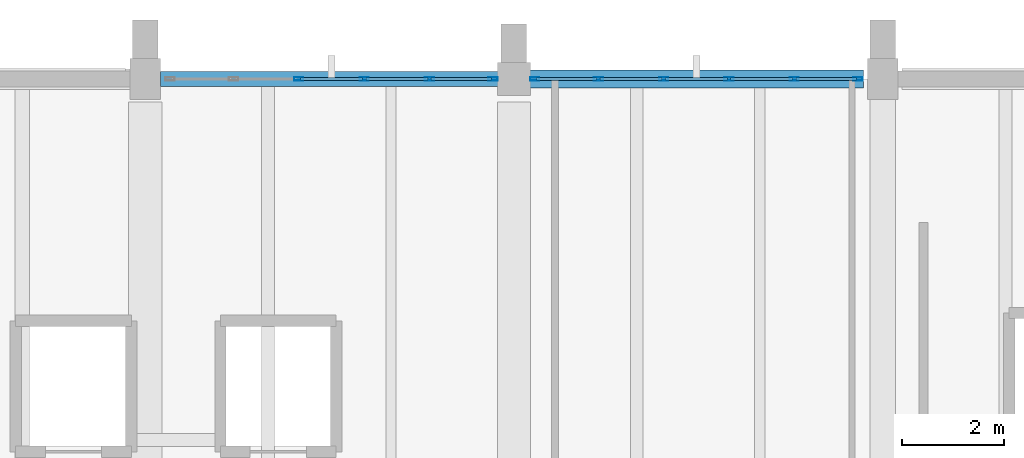
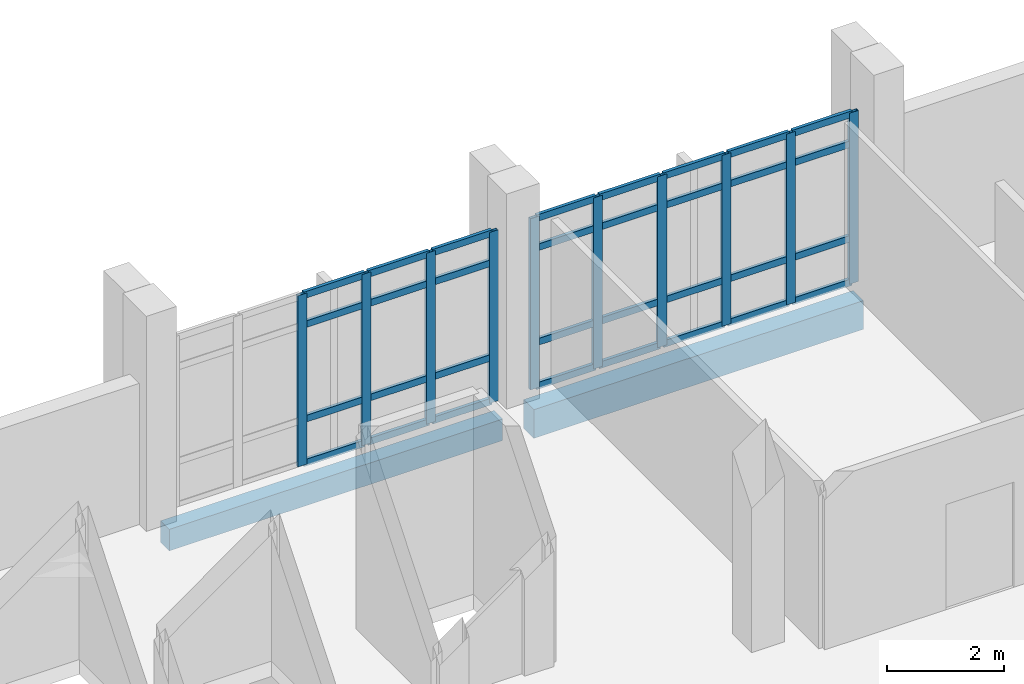
# One storey, part 46 of 87: 42 members, 2 beams, 2 elements without a shape of their own.
"""IFC4 building model written with IfcOpenShell, lengths in metres."""

from ifc_helpers import new_model, si_unit, direction, frame, origin, origin_2d, place, context, subcontext, project, spatial, rectangle, hollow_rectangle, extrude, material, material_profile, profile_set, type_object, element, aggregate, save


model = new_model("IFC4")

# Units and contexts
model_context = context("Model", 3, precision=1e-05, world=origin(), true_north=direction((0.0, 1.0)))
body_context = subcontext(model_context, "Body", "Model", "MODEL_VIEW")
ifc_project = project(units=[si_unit("LENGTHUNIT", "METRE"), si_unit("AREAUNIT", "SQUARE_METRE"), si_unit("VOLUMEUNIT", "CUBIC_METRE"), si_unit("PLANEANGLEUNIT", "RADIAN"), si_unit("MASSUNIT", "GRAM", prefix="KILO")], contexts=[model_context])

# Site, building, storey
site_placement = place(None, origin())
site = spatial("IfcSite", under=ifc_project, at=site_placement, CompositionType="ELEMENT")
building_placement = place(site_placement, origin())
building = spatial("IfcBuilding", under=site, at=building_placement, Name="Kalluvel Institute of Natural Sciences", CompositionType="ELEMENT")
storey_placement = place(building_placement, frame((0.0, 0.0, 18.89990234375)))
storey = spatial("IfcBuildingStorey", under=building, at=storey_placement, Name="L04", CompositionType="ELEMENT", Elevation=18.89990234375)

# Curtain wall, members
ifc_material_1 = material(Name="Aluminium AW-6063 T6", Category="aluminium")
curtain_wall_type = type_object("IfcCurtainWallType", Name="CW-WET-45", PredefinedType="USERDEFINED", material=ifc_material_1)
curtain_wall_1_placement = place(storey_placement, origin())
curtain_wall_1 = element("IfcCurtainWall", 1, at=curtain_wall_1_placement, inside=storey, type_object=curtain_wall_type, Name="L04 Gothic lancet curtain wall CWA-L04-X432-Y1280", ObjectType="UNITISED LANCET FACADE", PredefinedType="USERDEFINED")
ifc_material_profile_1 = material_profile(ifc_material_1, hollow_rectangle(XDim=0.06494140625, YDim=0.179931640625, WallThickness=0.00439453125, at=origin_2d()), Name="CWM 65x180")
ifc_profile_set_1 = profile_set([ifc_material_profile_1], Name="Aluminium AW-6063 T6")
member_type_1 = type_object("IfcMemberType", Name="CWM-65x180", PredefinedType="MULLION", material=ifc_profile_set_1)
member_1_placement = place(storey_placement, frame((45.800048828125, 128.0, 0.0), z_axis=(0.0, 0.0, 1.0), x_axis=(0.0, 1.0, 0.0)))
member_1 = element("IfcMember", 2, at=member_1_placement, type_object=member_type_1, Name="CW-01 mullion 3", PredefinedType="MULLION", context=body_context, shape_type="SweptSolid", body=[
    extrude(hollow_rectangle(XDim=0.06494140625, YDim=0.179931640625, WallThickness=0.00439453125, at=origin_2d()), origin(), (0.0, 0.0, 1.0), 3.580078125),
])
member_2_placement = place(storey_placement, frame((47.074951171875, 128.0, 0.0), z_axis=(0.0, 0.0, 1.0), x_axis=(0.0, 1.0, 0.0)))
member_2 = element("IfcMember", 3, at=member_2_placement, type_object=member_type_1, Name="CW-01 mullion 4", PredefinedType="MULLION", context=body_context, shape_type="SweptSolid", body=[
    extrude(hollow_rectangle(XDim=0.06494140625, YDim=0.179931640625, WallThickness=0.00439453125, at=origin_2d()), origin(), (0.0, 0.0, 1.0), 3.580078125),
])
member_3_placement = place(storey_placement, frame((48.35009765625, 128.0, 0.0), z_axis=(0.0, 0.0, 1.0), x_axis=(0.0, 1.0, 0.0)))
member_3 = element("IfcMember", 4, at=member_3_placement, type_object=member_type_1, Name="CW-01 mullion 5", PredefinedType="MULLION", context=body_context, shape_type="SweptSolid", body=[
    extrude(hollow_rectangle(XDim=0.06494140625, YDim=0.179931640625, WallThickness=0.00439453125, at=origin_2d()), origin(), (0.0, 0.0, 1.0), 3.580078125),
])
member_4_placement = place(storey_placement, frame((49.592529296875, 128.0, 0.0), z_axis=(0.0, 0.0, 1.0), x_axis=(0.0, 1.0, 0.0)))
member_4 = element("IfcMember", 5, at=member_4_placement, type_object=member_type_1, Name="CW-01 mullion 6", PredefinedType="MULLION", context=body_context, shape_type="SweptSolid", body=[
    extrude(hollow_rectangle(XDim=0.06494140625, YDim=0.179931640625, WallThickness=0.00439453125, at=origin_2d()), origin(), (0.0, 0.0, 1.0), 3.580078125),
])

curtain_wall_2_placement = place(storey_placement, origin())
curtain_wall_2 = element("IfcCurtainWall", 6, at=curtain_wall_2_placement, inside=storey, type_object=curtain_wall_type, Name="L04 Gothic lancet curtain wall CWA-L04-X504-Y1280", ObjectType="UNITISED LANCET FACADE", PredefinedType="USERDEFINED")
member_5_placement = place(storey_placement, frame((50.407470703125, 128.0, 0.0), z_axis=(0.0, 0.0, 1.0), x_axis=(0.0, 1.0, 0.0)))
member_5 = element("IfcMember", 7, at=member_5_placement, type_object=member_type_1, Name="CW-01 mullion 1", PredefinedType="MULLION", context=body_context, shape_type="SweptSolid", body=[
    extrude(hollow_rectangle(XDim=0.06494140625, YDim=0.179931640625, WallThickness=0.00439453125, at=origin_2d()), origin(), (0.0, 0.0, 1.0), 3.580078125),
])
member_6_placement = place(storey_placement, frame((51.64990234375, 128.0, 0.0), z_axis=(0.0, 0.0, 1.0), x_axis=(0.0, 1.0, 0.0)))
member_6 = element("IfcMember", 8, at=member_6_placement, type_object=member_type_1, Name="CW-01 mullion 2", PredefinedType="MULLION", context=body_context, shape_type="SweptSolid", body=[
    extrude(hollow_rectangle(XDim=0.06494140625, YDim=0.179931640625, WallThickness=0.00439453125, at=origin_2d()), origin(), (0.0, 0.0, 1.0), 3.580078125),
])
member_7_placement = place(storey_placement, frame((52.925048828125, 128.0, 0.0), z_axis=(0.0, 0.0, 1.0), x_axis=(0.0, 1.0, 0.0)))
member_7 = element("IfcMember", 9, at=member_7_placement, type_object=member_type_1, Name="CW-01 mullion 3", PredefinedType="MULLION", context=body_context, shape_type="SweptSolid", body=[
    extrude(hollow_rectangle(XDim=0.06494140625, YDim=0.179931640625, WallThickness=0.00439453125, at=origin_2d()), origin(), (0.0, 0.0, 1.0), 3.580078125),
])
member_8_placement = place(storey_placement, frame((54.199951171875, 128.0, 0.0), z_axis=(0.0, 0.0, 1.0), x_axis=(0.0, 1.0, 0.0)))
member_8 = element("IfcMember", 10, at=member_8_placement, type_object=member_type_1, Name="CW-01 mullion 4", PredefinedType="MULLION", context=body_context, shape_type="SweptSolid", body=[
    extrude(hollow_rectangle(XDim=0.06494140625, YDim=0.179931640625, WallThickness=0.00439453125, at=origin_2d()), origin(), (0.0, 0.0, 1.0), 3.580078125),
])
member_9_placement = place(storey_placement, frame((55.47509765625, 128.0, 0.0), z_axis=(0.0, 0.0, 1.0), x_axis=(0.0, 1.0, 0.0)))
member_9 = element("IfcMember", 11, at=member_9_placement, type_object=member_type_1, Name="CW-01 mullion 5", PredefinedType="MULLION", context=body_context, shape_type="SweptSolid", body=[
    extrude(hollow_rectangle(XDim=0.06494140625, YDim=0.179931640625, WallThickness=0.00439453125, at=origin_2d()), origin(), (0.0, 0.0, 1.0), 3.580078125),
])
member_10_placement = place(storey_placement, frame((56.717529296875, 128.0, 0.0), z_axis=(0.0, 0.0, 1.0), x_axis=(0.0, 1.0, 0.0)))
member_10 = element("IfcMember", 12, at=member_10_placement, type_object=member_type_1, Name="CW-01 mullion 6", PredefinedType="MULLION", context=body_context, shape_type="SweptSolid", body=[
    extrude(hollow_rectangle(XDim=0.06494140625, YDim=0.179931640625, WallThickness=0.00439453125, at=origin_2d()), origin(), (0.0, 0.0, 1.0), 3.580078125),
])

# Member
ifc_material_profile_2 = material_profile(ifc_material_1, hollow_rectangle(XDim=0.06494140625, YDim=0.139892578125, WallThickness=0.00439453125, at=origin_2d()), Name="CWT 65x140")
ifc_profile_set_2 = profile_set([ifc_material_profile_2], Name="Aluminium AW-6063 T6")
member_type_2 = type_object("IfcMemberType", Name="CWT-65x140", PredefinedType="USERDEFINED", material=ifc_profile_set_2)
member_11_placement = place(storey_placement, frame((45.83251953125, 128.0, 0.03271484375), z_axis=(1.0, 0.0, 0.0), x_axis=(0.0, 1.0, 0.0)))
member_11 = element("IfcMember", 13, at=member_11_placement, type_object=member_type_2, Name="CW-01 transom 3.1", ObjectType="TRANSOM", PredefinedType="USERDEFINED", context=body_context, shape_type="SweptSolid", body=[
    extrude(hollow_rectangle(XDim=0.06494140625, YDim=0.139892578125, WallThickness=0.00439453125, at=origin_2d()), origin(), (0.0, 0.0, 1.0), 1.2099609375),
])

member_12_placement = place(storey_placement, frame((45.83251953125, 128.0, 0.9501953125), z_axis=(1.0, 0.0, 0.0), x_axis=(0.0, 1.0, 0.0)))
member_12 = element("IfcMember", 14, at=member_12_placement, type_object=member_type_2, Name="CW-01 transom 3.2", ObjectType="TRANSOM", PredefinedType="USERDEFINED", context=body_context, shape_type="SweptSolid", body=[
    extrude(hollow_rectangle(XDim=0.06494140625, YDim=0.139892578125, WallThickness=0.00439453125, at=origin_2d()), origin(), (0.0, 0.0, 1.0), 1.2099609375),
])

member_13_placement = place(storey_placement, frame((45.83251953125, 128.0, 2.93017578125), z_axis=(1.0, 0.0, 0.0), x_axis=(0.0, 1.0, 0.0)))
member_13 = element("IfcMember", 15, at=member_13_placement, type_object=member_type_2, Name="CW-01 transom 3.3", ObjectType="TRANSOM", PredefinedType="USERDEFINED", context=body_context, shape_type="SweptSolid", body=[
    extrude(hollow_rectangle(XDim=0.06494140625, YDim=0.139892578125, WallThickness=0.00439453125, at=origin_2d()), origin(), (0.0, 0.0, 1.0), 1.2099609375),
])

member_14_placement = place(storey_placement, frame((45.83251953125, 128.0, 3.547607421875), z_axis=(1.0, 0.0, 0.0), x_axis=(0.0, 1.0, 0.0)))
member_14 = element("IfcMember", 16, at=member_14_placement, type_object=member_type_2, Name="CW-01 transom 3.4", ObjectType="TRANSOM", PredefinedType="USERDEFINED", context=body_context, shape_type="SweptSolid", body=[
    extrude(hollow_rectangle(XDim=0.06494140625, YDim=0.139892578125, WallThickness=0.00439453125, at=origin_2d()), origin(), (0.0, 0.0, 1.0), 1.2099609375),
])

member_15_placement = place(storey_placement, frame((47.107421875, 128.0, 0.03271484375), z_axis=(1.0, 0.0, 0.0), x_axis=(0.0, 1.0, 0.0)))
member_15 = element("IfcMember", 17, at=member_15_placement, type_object=member_type_2, Name="CW-01 transom 4.1", ObjectType="TRANSOM", PredefinedType="USERDEFINED", context=body_context, shape_type="SweptSolid", body=[
    extrude(hollow_rectangle(XDim=0.06494140625, YDim=0.139892578125, WallThickness=0.00439453125, at=origin_2d()), origin(), (0.0, 0.0, 1.0), 1.2099609375),
])

member_16_placement = place(storey_placement, frame((47.107421875, 128.0, 0.9501953125), z_axis=(1.0, 0.0, 0.0), x_axis=(0.0, 1.0, 0.0)))
member_16 = element("IfcMember", 18, at=member_16_placement, type_object=member_type_2, Name="CW-01 transom 4.2", ObjectType="TRANSOM", PredefinedType="USERDEFINED", context=body_context, shape_type="SweptSolid", body=[
    extrude(hollow_rectangle(XDim=0.06494140625, YDim=0.139892578125, WallThickness=0.00439453125, at=origin_2d()), origin(), (0.0, 0.0, 1.0), 1.2099609375),
])

member_17_placement = place(storey_placement, frame((47.107421875, 128.0, 2.93017578125), z_axis=(1.0, 0.0, 0.0), x_axis=(0.0, 1.0, 0.0)))
member_17 = element("IfcMember", 19, at=member_17_placement, type_object=member_type_2, Name="CW-01 transom 4.3", ObjectType="TRANSOM", PredefinedType="USERDEFINED", context=body_context, shape_type="SweptSolid", body=[
    extrude(hollow_rectangle(XDim=0.06494140625, YDim=0.139892578125, WallThickness=0.00439453125, at=origin_2d()), origin(), (0.0, 0.0, 1.0), 1.2099609375),
])

member_18_placement = place(storey_placement, frame((47.107421875, 128.0, 3.547607421875), z_axis=(1.0, 0.0, 0.0), x_axis=(0.0, 1.0, 0.0)))
member_18 = element("IfcMember", 20, at=member_18_placement, type_object=member_type_2, Name="CW-01 transom 4.4", ObjectType="TRANSOM", PredefinedType="USERDEFINED", context=body_context, shape_type="SweptSolid", body=[
    extrude(hollow_rectangle(XDim=0.06494140625, YDim=0.139892578125, WallThickness=0.00439453125, at=origin_2d()), origin(), (0.0, 0.0, 1.0), 1.2099609375),
])

member_19_placement = place(storey_placement, frame((48.382568359375, 128.0, 0.03271484375), z_axis=(1.0, 0.0, 0.0), x_axis=(0.0, 1.0, 0.0)))
member_19 = element("IfcMember", 21, at=member_19_placement, type_object=member_type_2, Name="CW-01 transom 5.1", ObjectType="TRANSOM", PredefinedType="USERDEFINED", context=body_context, shape_type="SweptSolid", body=[
    extrude(hollow_rectangle(XDim=0.06494140625, YDim=0.139892578125, WallThickness=0.00439453125, at=origin_2d()), origin(), (0.0, 0.0, 1.0), 1.177490234375),
])

member_20_placement = place(storey_placement, frame((48.382568359375, 128.0, 0.9501953125), z_axis=(1.0, 0.0, 0.0), x_axis=(0.0, 1.0, 0.0)))
member_20 = element("IfcMember", 22, at=member_20_placement, type_object=member_type_2, Name="CW-01 transom 5.2", ObjectType="TRANSOM", PredefinedType="USERDEFINED", context=body_context, shape_type="SweptSolid", body=[
    extrude(hollow_rectangle(XDim=0.06494140625, YDim=0.139892578125, WallThickness=0.00439453125, at=origin_2d()), origin(), (0.0, 0.0, 1.0), 1.177490234375),
])

member_21_placement = place(storey_placement, frame((48.382568359375, 128.0, 2.93017578125), z_axis=(1.0, 0.0, 0.0), x_axis=(0.0, 1.0, 0.0)))
member_21 = element("IfcMember", 23, at=member_21_placement, type_object=member_type_2, Name="CW-01 transom 5.3", ObjectType="TRANSOM", PredefinedType="USERDEFINED", context=body_context, shape_type="SweptSolid", body=[
    extrude(hollow_rectangle(XDim=0.06494140625, YDim=0.139892578125, WallThickness=0.00439453125, at=origin_2d()), origin(), (0.0, 0.0, 1.0), 1.177490234375),
])

member_22_placement = place(storey_placement, frame((48.382568359375, 128.0, 3.547607421875), z_axis=(1.0, 0.0, 0.0), x_axis=(0.0, 1.0, 0.0)))
member_22 = element("IfcMember", 24, at=member_22_placement, type_object=member_type_2, Name="CW-01 transom 5.4", ObjectType="TRANSOM", PredefinedType="USERDEFINED", context=body_context, shape_type="SweptSolid", body=[
    extrude(hollow_rectangle(XDim=0.06494140625, YDim=0.139892578125, WallThickness=0.00439453125, at=origin_2d()), origin(), (0.0, 0.0, 1.0), 1.177490234375),
])

aggregate(curtain_wall_1, [member_1, member_2, member_3, member_4, member_11, member_12, member_13, member_14, member_15, member_16, member_17, member_18, member_19, member_20, member_21, member_22])

member_23_placement = place(storey_placement, frame((50.43994140625, 128.0, 0.03271484375), z_axis=(1.0, 0.0, 0.0), x_axis=(0.0, 1.0, 0.0)))
member_23 = element("IfcMember", 25, at=member_23_placement, type_object=member_type_2, Name="CW-01 transom 1.1", ObjectType="TRANSOM", PredefinedType="USERDEFINED", context=body_context, shape_type="SweptSolid", body=[
    extrude(hollow_rectangle(XDim=0.06494140625, YDim=0.139892578125, WallThickness=0.00439453125, at=origin_2d()), origin(), (0.0, 0.0, 1.0), 1.177490234375),
])

member_24_placement = place(storey_placement, frame((50.43994140625, 128.0, 0.9501953125), z_axis=(1.0, 0.0, 0.0), x_axis=(0.0, 1.0, 0.0)))
member_24 = element("IfcMember", 26, at=member_24_placement, type_object=member_type_2, Name="CW-01 transom 1.2", ObjectType="TRANSOM", PredefinedType="USERDEFINED", context=body_context, shape_type="SweptSolid", body=[
    extrude(hollow_rectangle(XDim=0.06494140625, YDim=0.139892578125, WallThickness=0.00439453125, at=origin_2d()), origin(), (0.0, 0.0, 1.0), 1.177490234375),
])

member_25_placement = place(storey_placement, frame((50.43994140625, 128.0, 2.93017578125), z_axis=(1.0, 0.0, 0.0), x_axis=(0.0, 1.0, 0.0)))
member_25 = element("IfcMember", 27, at=member_25_placement, type_object=member_type_2, Name="CW-01 transom 1.3", ObjectType="TRANSOM", PredefinedType="USERDEFINED", context=body_context, shape_type="SweptSolid", body=[
    extrude(hollow_rectangle(XDim=0.06494140625, YDim=0.139892578125, WallThickness=0.00439453125, at=origin_2d()), origin(), (0.0, 0.0, 1.0), 1.177490234375),
])

member_26_placement = place(storey_placement, frame((50.43994140625, 128.0, 3.547607421875), z_axis=(1.0, 0.0, 0.0), x_axis=(0.0, 1.0, 0.0)))
member_26 = element("IfcMember", 28, at=member_26_placement, type_object=member_type_2, Name="CW-01 transom 1.4", ObjectType="TRANSOM", PredefinedType="USERDEFINED", context=body_context, shape_type="SweptSolid", body=[
    extrude(hollow_rectangle(XDim=0.06494140625, YDim=0.139892578125, WallThickness=0.00439453125, at=origin_2d()), origin(), (0.0, 0.0, 1.0), 1.177490234375),
])

member_27_placement = place(storey_placement, frame((51.6826171875, 128.0, 0.03271484375), z_axis=(1.0, 0.0, 0.0), x_axis=(0.0, 1.0, 0.0)))
member_27 = element("IfcMember", 29, at=member_27_placement, type_object=member_type_2, Name="CW-01 transom 2.1", ObjectType="TRANSOM", PredefinedType="USERDEFINED", context=body_context, shape_type="SweptSolid", body=[
    extrude(hollow_rectangle(XDim=0.06494140625, YDim=0.139892578125, WallThickness=0.00439453125, at=origin_2d()), origin(), (0.0, 0.0, 1.0), 1.2099609375),
])

member_28_placement = place(storey_placement, frame((51.6826171875, 128.0, 0.9501953125), z_axis=(1.0, 0.0, 0.0), x_axis=(0.0, 1.0, 0.0)))
member_28 = element("IfcMember", 30, at=member_28_placement, type_object=member_type_2, Name="CW-01 transom 2.2", ObjectType="TRANSOM", PredefinedType="USERDEFINED", context=body_context, shape_type="SweptSolid", body=[
    extrude(hollow_rectangle(XDim=0.06494140625, YDim=0.139892578125, WallThickness=0.00439453125, at=origin_2d()), origin(), (0.0, 0.0, 1.0), 1.2099609375),
])

member_29_placement = place(storey_placement, frame((51.6826171875, 128.0, 2.93017578125), z_axis=(1.0, 0.0, 0.0), x_axis=(0.0, 1.0, 0.0)))
member_29 = element("IfcMember", 31, at=member_29_placement, type_object=member_type_2, Name="CW-01 transom 2.3", ObjectType="TRANSOM", PredefinedType="USERDEFINED", context=body_context, shape_type="SweptSolid", body=[
    extrude(hollow_rectangle(XDim=0.06494140625, YDim=0.139892578125, WallThickness=0.00439453125, at=origin_2d()), origin(), (0.0, 0.0, 1.0), 1.2099609375),
])

member_30_placement = place(storey_placement, frame((51.6826171875, 128.0, 3.547607421875), z_axis=(1.0, 0.0, 0.0), x_axis=(0.0, 1.0, 0.0)))
member_30 = element("IfcMember", 32, at=member_30_placement, type_object=member_type_2, Name="CW-01 transom 2.4", ObjectType="TRANSOM", PredefinedType="USERDEFINED", context=body_context, shape_type="SweptSolid", body=[
    extrude(hollow_rectangle(XDim=0.06494140625, YDim=0.139892578125, WallThickness=0.00439453125, at=origin_2d()), origin(), (0.0, 0.0, 1.0), 1.2099609375),
])

member_31_placement = place(storey_placement, frame((52.95751953125, 128.0, 0.03271484375), z_axis=(1.0, 0.0, 0.0), x_axis=(0.0, 1.0, 0.0)))
member_31 = element("IfcMember", 33, at=member_31_placement, type_object=member_type_2, Name="CW-01 transom 3.1", ObjectType="TRANSOM", PredefinedType="USERDEFINED", context=body_context, shape_type="SweptSolid", body=[
    extrude(hollow_rectangle(XDim=0.06494140625, YDim=0.139892578125, WallThickness=0.00439453125, at=origin_2d()), origin(), (0.0, 0.0, 1.0), 1.2099609375),
])

member_32_placement = place(storey_placement, frame((52.95751953125, 128.0, 0.9501953125), z_axis=(1.0, 0.0, 0.0), x_axis=(0.0, 1.0, 0.0)))
member_32 = element("IfcMember", 34, at=member_32_placement, type_object=member_type_2, Name="CW-01 transom 3.2", ObjectType="TRANSOM", PredefinedType="USERDEFINED", context=body_context, shape_type="SweptSolid", body=[
    extrude(hollow_rectangle(XDim=0.06494140625, YDim=0.139892578125, WallThickness=0.00439453125, at=origin_2d()), origin(), (0.0, 0.0, 1.0), 1.2099609375),
])

member_33_placement = place(storey_placement, frame((52.95751953125, 128.0, 2.93017578125), z_axis=(1.0, 0.0, 0.0), x_axis=(0.0, 1.0, 0.0)))
member_33 = element("IfcMember", 35, at=member_33_placement, type_object=member_type_2, Name="CW-01 transom 3.3", ObjectType="TRANSOM", PredefinedType="USERDEFINED", context=body_context, shape_type="SweptSolid", body=[
    extrude(hollow_rectangle(XDim=0.06494140625, YDim=0.139892578125, WallThickness=0.00439453125, at=origin_2d()), origin(), (0.0, 0.0, 1.0), 1.2099609375),
])

member_34_placement = place(storey_placement, frame((52.95751953125, 128.0, 3.547607421875), z_axis=(1.0, 0.0, 0.0), x_axis=(0.0, 1.0, 0.0)))
member_34 = element("IfcMember", 36, at=member_34_placement, type_object=member_type_2, Name="CW-01 transom 3.4", ObjectType="TRANSOM", PredefinedType="USERDEFINED", context=body_context, shape_type="SweptSolid", body=[
    extrude(hollow_rectangle(XDim=0.06494140625, YDim=0.139892578125, WallThickness=0.00439453125, at=origin_2d()), origin(), (0.0, 0.0, 1.0), 1.2099609375),
])

member_35_placement = place(storey_placement, frame((54.232421875, 128.0, 0.03271484375), z_axis=(1.0, 0.0, 0.0), x_axis=(0.0, 1.0, 0.0)))
member_35 = element("IfcMember", 37, at=member_35_placement, type_object=member_type_2, Name="CW-01 transom 4.1", ObjectType="TRANSOM", PredefinedType="USERDEFINED", context=body_context, shape_type="SweptSolid", body=[
    extrude(hollow_rectangle(XDim=0.06494140625, YDim=0.139892578125, WallThickness=0.00439453125, at=origin_2d()), origin(), (0.0, 0.0, 1.0), 1.2099609375),
])

member_36_placement = place(storey_placement, frame((54.232421875, 128.0, 0.9501953125), z_axis=(1.0, 0.0, 0.0), x_axis=(0.0, 1.0, 0.0)))
member_36 = element("IfcMember", 38, at=member_36_placement, type_object=member_type_2, Name="CW-01 transom 4.2", ObjectType="TRANSOM", PredefinedType="USERDEFINED", context=body_context, shape_type="SweptSolid", body=[
    extrude(hollow_rectangle(XDim=0.06494140625, YDim=0.139892578125, WallThickness=0.00439453125, at=origin_2d()), origin(), (0.0, 0.0, 1.0), 1.2099609375),
])

member_37_placement = place(storey_placement, frame((54.232421875, 128.0, 2.93017578125), z_axis=(1.0, 0.0, 0.0), x_axis=(0.0, 1.0, 0.0)))
member_37 = element("IfcMember", 39, at=member_37_placement, type_object=member_type_2, Name="CW-01 transom 4.3", ObjectType="TRANSOM", PredefinedType="USERDEFINED", context=body_context, shape_type="SweptSolid", body=[
    extrude(hollow_rectangle(XDim=0.06494140625, YDim=0.139892578125, WallThickness=0.00439453125, at=origin_2d()), origin(), (0.0, 0.0, 1.0), 1.2099609375),
])

member_38_placement = place(storey_placement, frame((54.232421875, 128.0, 3.547607421875), z_axis=(1.0, 0.0, 0.0), x_axis=(0.0, 1.0, 0.0)))
member_38 = element("IfcMember", 40, at=member_38_placement, type_object=member_type_2, Name="CW-01 transom 4.4", ObjectType="TRANSOM", PredefinedType="USERDEFINED", context=body_context, shape_type="SweptSolid", body=[
    extrude(hollow_rectangle(XDim=0.06494140625, YDim=0.139892578125, WallThickness=0.00439453125, at=origin_2d()), origin(), (0.0, 0.0, 1.0), 1.2099609375),
])

member_39_placement = place(storey_placement, frame((55.507568359375, 128.0, 0.03271484375), z_axis=(1.0, 0.0, 0.0), x_axis=(0.0, 1.0, 0.0)))
member_39 = element("IfcMember", 41, at=member_39_placement, type_object=member_type_2, Name="CW-01 transom 5.1", ObjectType="TRANSOM", PredefinedType="USERDEFINED", context=body_context, shape_type="SweptSolid", body=[
    extrude(hollow_rectangle(XDim=0.06494140625, YDim=0.139892578125, WallThickness=0.00439453125, at=origin_2d()), origin(), (0.0, 0.0, 1.0), 1.177490234375),
])

member_40_placement = place(storey_placement, frame((55.507568359375, 128.0, 0.9501953125), z_axis=(1.0, 0.0, 0.0), x_axis=(0.0, 1.0, 0.0)))
member_40 = element("IfcMember", 42, at=member_40_placement, type_object=member_type_2, Name="CW-01 transom 5.2", ObjectType="TRANSOM", PredefinedType="USERDEFINED", context=body_context, shape_type="SweptSolid", body=[
    extrude(hollow_rectangle(XDim=0.06494140625, YDim=0.139892578125, WallThickness=0.00439453125, at=origin_2d()), origin(), (0.0, 0.0, 1.0), 1.177490234375),
])

member_41_placement = place(storey_placement, frame((55.507568359375, 128.0, 2.93017578125), z_axis=(1.0, 0.0, 0.0), x_axis=(0.0, 1.0, 0.0)))
member_41 = element("IfcMember", 43, at=member_41_placement, type_object=member_type_2, Name="CW-01 transom 5.3", ObjectType="TRANSOM", PredefinedType="USERDEFINED", context=body_context, shape_type="SweptSolid", body=[
    extrude(hollow_rectangle(XDim=0.06494140625, YDim=0.139892578125, WallThickness=0.00439453125, at=origin_2d()), origin(), (0.0, 0.0, 1.0), 1.177490234375),
])

member_42_placement = place(storey_placement, frame((55.507568359375, 128.0, 3.547607421875), z_axis=(1.0, 0.0, 0.0), x_axis=(0.0, 1.0, 0.0)))
member_42 = element("IfcMember", 44, at=member_42_placement, type_object=member_type_2, Name="CW-01 transom 5.4", ObjectType="TRANSOM", PredefinedType="USERDEFINED", context=body_context, shape_type="SweptSolid", body=[
    extrude(hollow_rectangle(XDim=0.06494140625, YDim=0.139892578125, WallThickness=0.00439453125, at=origin_2d()), origin(), (0.0, 0.0, 1.0), 1.177490234375),
])

aggregate(curtain_wall_2, [member_5, member_6, member_7, member_8, member_9, member_10, member_23, member_24, member_25, member_26, member_27, member_28, member_29, member_30, member_31, member_32, member_33, member_34, member_35, member_36, member_37, member_38, member_39, member_40, member_41, member_42])

# Beams
ifc_material_2 = material(Name="Concrete M40", Category="concrete")
ifc_material_profile_3 = material_profile(ifc_material_2, rectangle(XDim=0.300048828125, YDim=0.449951171875, at=origin_2d()), Name="RCB 300x450")
ifc_profile_set_3 = profile_set([ifc_material_profile_3], Name="Concrete M40")
beam_type_1 = type_object("IfcBeamType", Name="SP-RC300x450", PredefinedType="SPANDREL", material=ifc_profile_set_3)
beam_1_placement = place(storey_placement, frame((43.10009765625, 128.0, -0.544921875), z_axis=(1.0, 0.0, 0.0), x_axis=(0.0, 1.0, 0.0)))
element("IfcBeam", 45, at=beam_1_placement, inside=storey, type_object=beam_type_1, Name="L04 girder GIR-L04-EW-X428-Y1280", PredefinedType="SPANDREL", context=body_context, shape_type="SweptSolid", body=[
    extrude(rectangle(XDim=0.300048828125, YDim=0.449951171875, at=origin_2d()), origin(), (0.0, 0.0, 1.0), 6.599853515625),
])
ifc_material_profile_4 = material_profile(ifc_material_2, rectangle(XDim=0.35009765625, YDim=0.60009765625, at=origin_2d()), Name="RCB 350x600")
ifc_profile_set_4 = profile_set([ifc_material_profile_4], Name="Concrete M40")
beam_type_2 = type_object("IfcBeamType", Name="SP-RC350x600", PredefinedType="SPANDREL", material=ifc_profile_set_4)
beam_2_placement = place(storey_placement, frame((50.300048828125, 128.0, -0.619873046875), z_axis=(1.0, 0.0, 0.0), x_axis=(0.0, 1.0, 0.0)))
element("IfcBeam", 46, at=beam_2_placement, inside=storey, type_object=beam_type_2, Name="L04 girder GIR-L04-EW-X500-Y1280", PredefinedType="SPANDREL", context=body_context, shape_type="SweptSolid", body=[
    extrude(rectangle(XDim=0.35009765625, YDim=0.60009765625, at=origin_2d()), origin(), (0.0, 0.0, 1.0), 6.52490234375),
])

save(model, "model.ifc")
